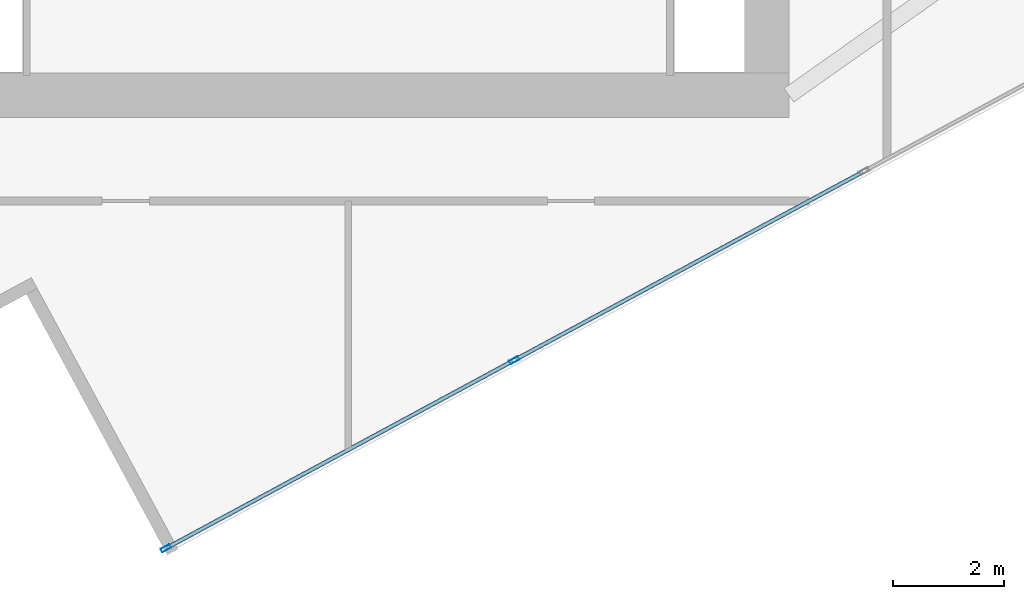
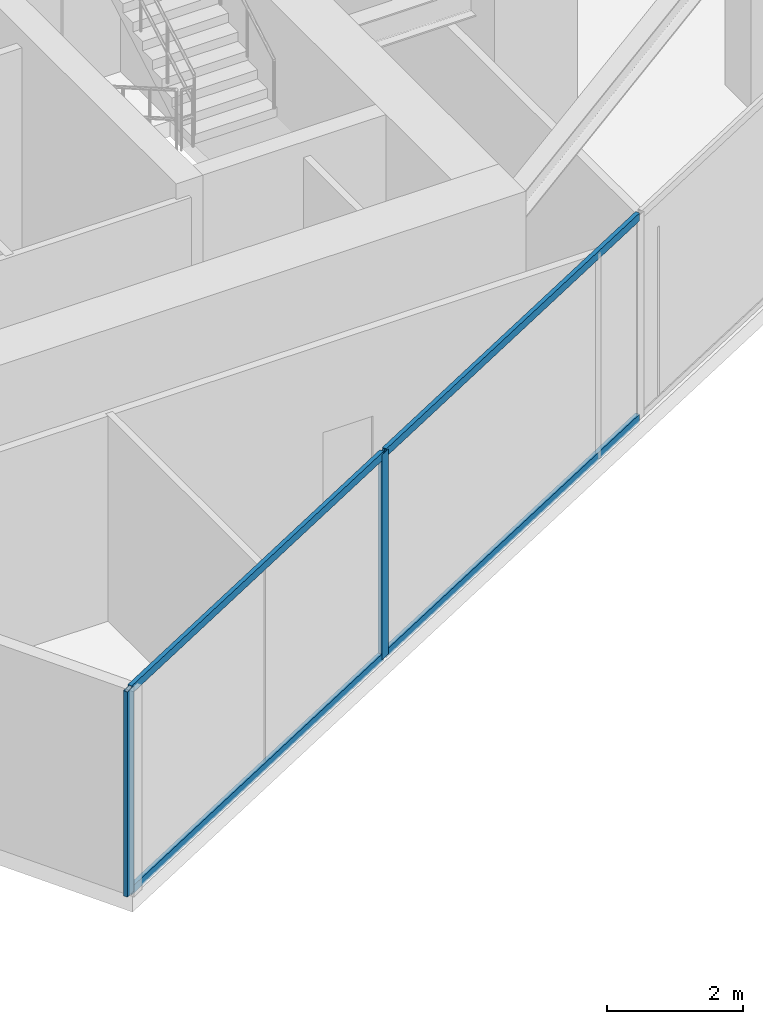
# One storey, part 3 of 22: 6 members, 1 element without a shape of its own.
"""IFC4 building model written with IfcOpenShell, lengths in metres."""

from ifc_helpers import new_model, si_unit, direction, frame, origin, origin_2d, place, context, subcontext, project, spatial, hollow_rectangle, extrude, source, transform, mapped, material, material_profile, profile_set, type_object, type_shapes, element, aggregate, save


model = new_model("IFC4")

# Units and contexts
model_context = context("Model", 3, precision=1e-05, world=origin(), true_north=direction((0.0, 1.0)))
body_context = subcontext(model_context, "Body", "Model", "MODEL_VIEW")
ifc_project = project(units=[si_unit("LENGTHUNIT", "METRE"), si_unit("AREAUNIT", "SQUARE_METRE"), si_unit("VOLUMEUNIT", "CUBIC_METRE"), si_unit("PLANEANGLEUNIT", "RADIAN"), si_unit("MASSUNIT", "GRAM", prefix="KILO")], contexts=[model_context])

# Site, building, storey
site_placement = place(None, origin())
site = spatial("IfcSite", under=ifc_project, at=site_placement, CompositionType="ELEMENT")
building_placement = place(site_placement, origin())
building = spatial("IfcBuilding", under=site, at=building_placement, Name="Krantzveldt Concourse Tower", CompositionType="ELEMENT")
storey_placement = place(building_placement, frame((0.0, 0.0, 306.89990234375)))
storey = spatial("IfcBuildingStorey", under=building, at=storey_placement, Name="L75", CompositionType="ELEMENT", Elevation=306.89990234375)

# Curtain wall, members
ifc_material = material(Name="Anodised aluminium 6063-T6", Category="aluminium")
curtain_wall_type = type_object("IfcCurtainWallType", Name="CW4", PredefinedType="USERDEFINED", material=ifc_material)
curtain_wall_placement = place(storey_placement, origin())
curtain_wall = element("IfcCurtainWall", 1, at=curtain_wall_placement, inside=storey, type_object=curtain_wall_type, Name="CW-L75-F07", ObjectType="UNITISED CURTAIN WALL", PredefinedType="USERDEFINED")
ifc_material_profile_1 = material_profile(ifc_material, hollow_rectangle(XDim=0.070068359375, YDim=0.179931640625, WallThickness=0.0048828125, at=origin_2d()), Name="Anodised aluminium 6063-T6", Category="aluminium")
ifc_profile_set_1 = profile_set([ifc_material_profile_1], Name="Anodised aluminium 6063-T6 - ALU-MULL 180x70x5")
member_type_1 = type_object("IfcMemberType", Name="CW-MUL-180", PredefinedType="MULLION", material=ifc_profile_set_1)
shared_shape_1 = source(origin(), body_context, "Body", "SweptSolid", [
    extrude(hollow_rectangle(XDim=0.070068359375, YDim=0.179931640625, WallThickness=0.0048828125, at=origin_2d()), origin(), (0.0, 0.0, 1.0), 3.670166015625),
])
type_shapes(member_type_1, [shared_shape_1])
member_1_placement = place(storey_placement, frame((32.720703125, 2.754638671875, 0.0), z_axis=(0.0, 0.0, 1.0), x_axis=(-0.475240271736, 0.87985605875, 0.0)))
member_1 = element("IfcMember", 2, at=member_1_placement, type_object=member_type_1, Name="CW-Z56 mullion 1", PredefinedType="MULLION", context=body_context, shape_type="MappedRepresentation", body=[
    mapped(shared_shape_1, transform((0.0, 0.0, 0.0), x_axis=(1.0, 0.0, 0.0), y_axis=(0.0, 1.0, 0.0), z_axis=(0.0, 0.0, 1.0), scale=1.0)),
])
member_2_placement = place(storey_placement, frame((38.98095703125, 6.135986328125, 0.0), z_axis=(0.0, 0.0, 1.0), x_axis=(-0.475240271736, 0.87985605875, 0.0)))
member_2 = element("IfcMember", 3, at=member_2_placement, type_object=member_type_1, Name="CW-Z56 mullion 2", PredefinedType="MULLION", context=body_context, shape_type="MappedRepresentation", body=[
    mapped(shared_shape_1, transform((0.0, 0.0, 0.0), x_axis=(1.0, 0.0, 0.0), y_axis=(0.0, 1.0, 0.0), z_axis=(0.0, 0.0, 1.0), scale=1.0)),
])
ifc_material_profile_2 = material_profile(ifc_material, hollow_rectangle(XDim=0.070068359375, YDim=0.139892578125, WallThickness=0.0048828125, at=origin_2d()), Name="Anodised aluminium 6063-T6", Category="aluminium")
ifc_profile_set_2 = profile_set([ifc_material_profile_2], Name="Anodised aluminium 6063-T6 - ALU-TRAN 140x70x5")
member_type_2 = type_object("IfcMemberType", Name="CW-TRN-150", PredefinedType="USERDEFINED", material=ifc_profile_set_2)
shared_shape_2 = source(origin(), body_context, "Body", "SweptSolid", [
    extrude(hollow_rectangle(XDim=0.070068359375, YDim=0.139892578125, WallThickness=0.0048828125, at=origin_2d()), origin(), (0.0, 0.0, 1.0), 7.044921875),
])
member_3_placement = place(storey_placement, frame((32.751708984375, 2.771240234375, 0.03515625), z_axis=(0.879848306025, 0.475254624791, 0.0), x_axis=(-0.475254624791, 0.879848306025, 0.0)))
member_3 = element("IfcMember", 4, at=member_3_placement, type_object=member_type_2, Name="CW-Z56 transom 1.1", ObjectType="TRANSOM", PredefinedType="USERDEFINED", context=body_context, shape_type="MappedRepresentation", body=[
    mapped(shared_shape_2, transform((0.0, 0.0, 0.0), x_axis=(1.0, 0.0, 0.0), y_axis=(0.0, 1.0, 0.0), z_axis=(0.0, 0.0, 1.0), scale=1.0)),
])
member_4_placement = place(storey_placement, frame((32.751708984375, 2.771240234375, 3.635009765625), z_axis=(0.879848306025, 0.475254624791, 0.0), x_axis=(-0.475254624791, 0.879848306025, 0.0)))
member_4 = element("IfcMember", 5, at=member_4_placement, type_object=member_type_2, Name="CW-Z56 transom 1.2", ObjectType="TRANSOM", PredefinedType="USERDEFINED", context=body_context, shape_type="MappedRepresentation", body=[
    mapped(shared_shape_2, transform((0.0, 0.0, 0.0), x_axis=(1.0, 0.0, 0.0), y_axis=(0.0, 1.0, 0.0), z_axis=(0.0, 0.0, 1.0), scale=1.0)),
])
shared_shape_3 = source(origin(), body_context, "Body", "SweptSolid", [
    extrude(hollow_rectangle(XDim=0.070068359375, YDim=0.139892578125, WallThickness=0.0048828125, at=origin_2d()), origin(), (0.0, 0.0, 1.0), 7.080078125),
])
type_shapes(member_type_2, [shared_shape_2, shared_shape_3])
member_5_placement = place(storey_placement, frame((39.01171875, 6.152587890625, 0.03515625), z_axis=(0.879856953046, 0.47523861604, 0.0), x_axis=(-0.47523861604, 0.879856953046, 0.0)))
member_5 = element("IfcMember", 6, at=member_5_placement, type_object=member_type_2, Name="CW-Z56 transom 2.1", ObjectType="TRANSOM", PredefinedType="USERDEFINED", context=body_context, shape_type="MappedRepresentation", body=[
    mapped(shared_shape_3, transform((0.0, 0.0, 0.0), x_axis=(1.0, 0.0, 0.0), y_axis=(0.0, 1.0, 0.0), z_axis=(0.0, 0.0, 1.0), scale=1.0)),
])
member_6_placement = place(storey_placement, frame((39.01171875, 6.152587890625, 3.635009765625), z_axis=(0.879856953046, 0.47523861604, 0.0), x_axis=(-0.47523861604, 0.879856953046, 0.0)))
member_6 = element("IfcMember", 7, at=member_6_placement, type_object=member_type_2, Name="CW-Z56 transom 2.2", ObjectType="TRANSOM", PredefinedType="USERDEFINED", context=body_context, shape_type="MappedRepresentation", body=[
    mapped(shared_shape_3, transform((0.0, 0.0, 0.0), x_axis=(1.0, 0.0, 0.0), y_axis=(0.0, 1.0, 0.0), z_axis=(0.0, 0.0, 1.0), scale=1.0)),
])
aggregate(curtain_wall, [member_1, member_2, member_3, member_4, member_5, member_6])

save(model, "model.ifc")
